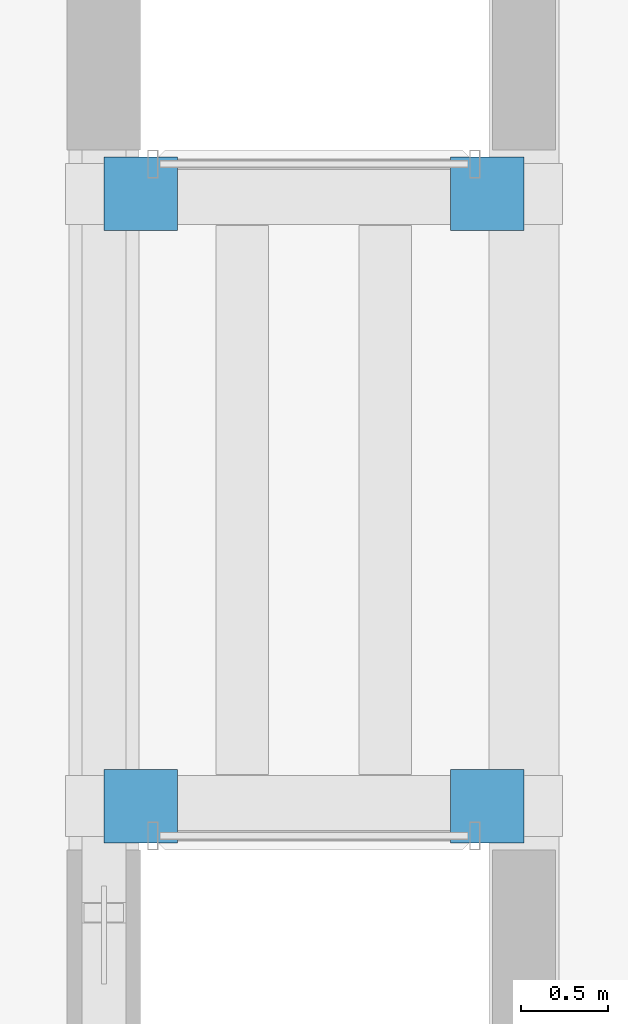
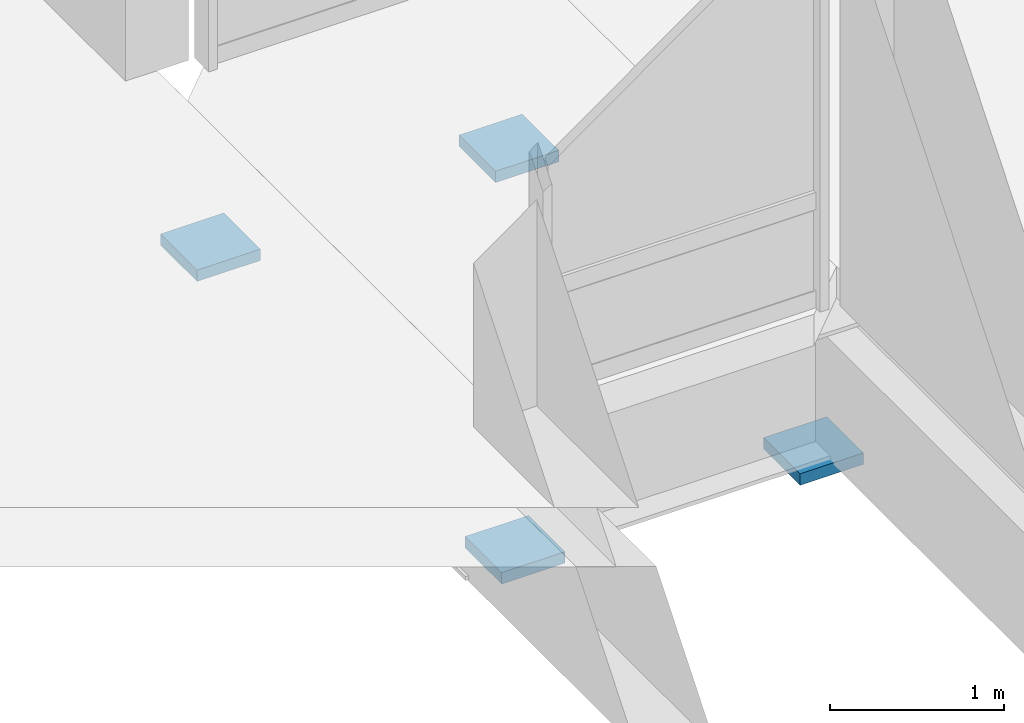
# One storey, part 178 of 220: 4 discrete accessories.
"""IFC4 building model written with IfcOpenShell, lengths in metres."""

from ifc_helpers import new_model, si_unit, direction, frame, origin, origin_2d, place, context, subcontext, project, spatial, rectangle, extrude, material, type_object, element, save


model = new_model("IFC4")

# Units and contexts
model_context = context("Model", 3, precision=1e-05, world=origin(), true_north=direction((0.0, 1.0)))
body_context = subcontext(model_context, "Body", "Model", "MODEL_VIEW")
ifc_project = project(units=[si_unit("LENGTHUNIT", "METRE"), si_unit("AREAUNIT", "SQUARE_METRE"), si_unit("VOLUMEUNIT", "CUBIC_METRE"), si_unit("PLANEANGLEUNIT", "RADIAN"), si_unit("MASSUNIT", "GRAM", prefix="KILO")], contexts=[model_context])

# Site, building, storey
site_placement = place(None, origin())
site = spatial("IfcSite", under=ifc_project, at=site_placement, CompositionType="ELEMENT")
building_placement = place(site_placement, origin())
building = spatial("IfcBuilding", under=site, at=building_placement, Name="Cendralis Lancet Convention Centre", CompositionType="ELEMENT")
storey_placement = place(building_placement, frame((0.0, 0.0, 5.39990234375)))
storey = spatial("IfcBuildingStorey", under=building, at=storey_placement, Name="L01", CompositionType="ELEMENT", Elevation=5.39990234375)

# Discrete accessories
ifc_material = material(Name="Elastomeric-PTFE sliding bridge bearing")
discrete_accessory_type = type_object("IfcDiscreteAccessoryType", Name="STR-BRG-PTFE", PredefinedType="SHOE", material=ifc_material)
for number, where, z_axis, x_axis, name in (
    (1, (122.610107421875, 102.64990234375, -1.199951171875), (0.0, 0.0, 1.0), (1.0, 0.0, 0.0), "Unguided PTFE Sliding Bridge Bearing SB-PTFE #005"),
    (2, (124.590087890625, 102.64990234375, -1.199951171875), (0.0, 0.0, 1.0), (1.0, 0.0, 0.0), "Unguided PTFE Sliding Bridge Bearing SB-PTFE #006"),
    (3, (122.610107421875, 106.14990234375, -1.199951171875), (0.0, 0.0, 1.0), (1.0, 0.0, 0.0), "Unguided PTFE Sliding Bridge Bearing SB-PTFE #007"),
    (4, (124.590087890625, 106.14990234375, -1.199951171875), (0.0, 0.0, 1.0), (1.0, 0.0, 0.0), "Unguided PTFE Sliding Bridge Bearing SB-PTFE #008"),
):
    element("IfcDiscreteAccessory", number, at=place(storey_placement, frame(where, z_axis=z_axis, x_axis=x_axis)), inside=storey, type_object=discrete_accessory_type, Name=name, PredefinedType="SHOE", context=body_context, shape_type="SweptSolid", body=[
        extrude(rectangle(XDim=0.419921875, YDim=0.419921875, at=origin_2d()), origin(), (0.0, 0.0, 1.0), 0.080078125),
    ])

save(model, "model.ifc")
